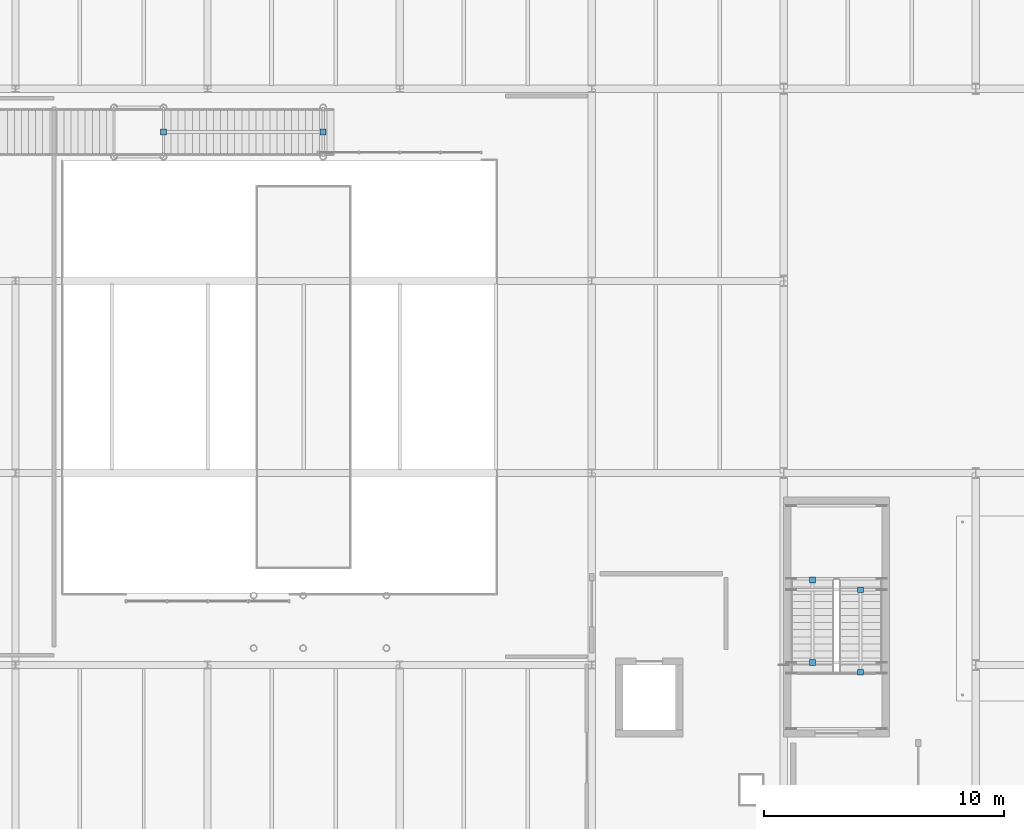
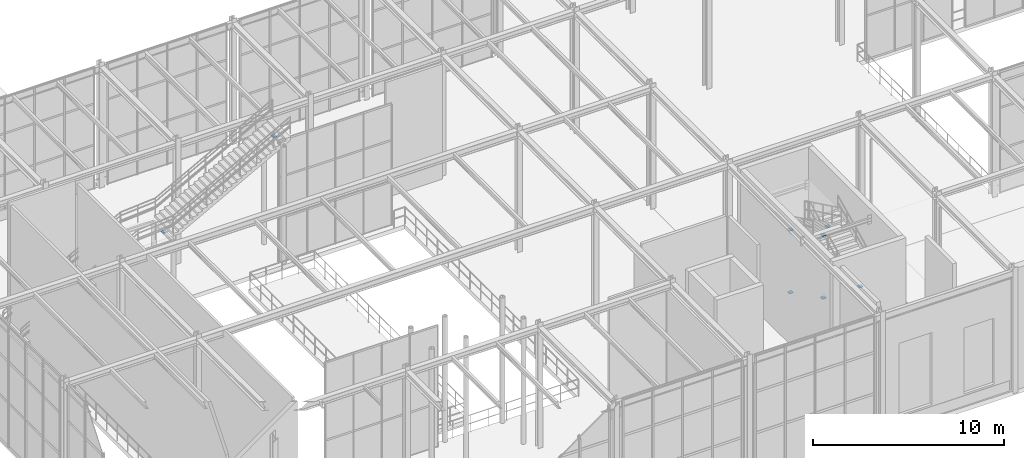
# One storey, part 118 of 138: 8 discrete accessories.
"""IFC4 building model written with IfcOpenShell, lengths in metres."""

from ifc_helpers import new_model, si_unit, direction, frame, origin, origin_2d, place, context, subcontext, project, spatial, rectangle, extrude, material, type_object, element, save


model = new_model("IFC4")

# Units and contexts
model_context = context("Model", 3, precision=1e-05, world=origin(), true_north=direction((0.0, 1.0)))
body_context = subcontext(model_context, "Body", "Model", "MODEL_VIEW")
ifc_project = project(units=[si_unit("LENGTHUNIT", "METRE"), si_unit("AREAUNIT", "SQUARE_METRE"), si_unit("VOLUMEUNIT", "CUBIC_METRE"), si_unit("PLANEANGLEUNIT", "RADIAN"), si_unit("MASSUNIT", "GRAM", prefix="KILO")], contexts=[model_context])

# Site, building, storey
site_placement = place(None, origin())
site = spatial("IfcSite", under=ifc_project, at=site_placement, CompositionType="ELEMENT")
building_placement = place(site_placement, origin())
building = spatial("IfcBuilding", under=site, at=building_placement, Name="Sundkrona Museum", CompositionType="ELEMENT")
storey_placement = place(building_placement, frame((0.0, 0.0, 9.60009765625)))
storey = spatial("IfcBuildingStorey", under=building, at=storey_placement, Name="L02", CompositionType="ELEMENT", Elevation=9.60009765625)

# Discrete accessories
ifc_material = material(Name="Stainless Steel EN 1.4404 Cleat", Category="steel")
discrete_accessory_type = type_object("IfcDiscreteAccessoryType", Name="BRK-FIN-01", PredefinedType="BRACKET", material=ifc_material)
for number, where, z_axis, x_axis, name in (
    (1, (121.199951171875, 11.534912109375, 1.66748046875), (0.0, 0.0, 1.0), (1.0, 0.0, 0.0), "Brace and Strut End Connection Plate RK-ST-ST-2-L02-2-1"),
    (2, (121.199951171875, 8.10009765625, 3.411376953125), (0.0, 0.0, 1.0), (1.0, 0.0, 0.0), "Brace and Strut End Connection Plate RK-ST-ST-2-L02-2-2"),
    (3, (123.199951171875, 7.699951171875, 3.66748046875), (0.0, 0.0, 1.0), (1.0, 0.0, 0.0), "Brace and Strut End Connection Plate RK-ST-ST-2-L02-3-1"),
    (4, (123.199951171875, 11.135009765625, 5.411376953125), (0.0, 0.0, 1.0), (1.0, 0.0, 0.0), "Brace and Strut End Connection Plate RK-ST-ST-2-L02-3-2"),
    (5, (121.199951171875, 11.534912109375, 5.66748046875), (0.0, 0.0, 1.0), (1.0, 0.0, 0.0), "Brace and Strut End Connection Plate RK-ST-ST-2-L02-4-1"),
    (6, (121.199951171875, 8.10009765625, 7.411376953125), (0.0, 0.0, 1.0), (1.0, 0.0, 0.0), "Brace and Strut End Connection Plate RK-ST-ST-2-L02-4-2"),
    (7, (94.159912109375, 30.199951171875, 3.66748046875), (0.0, 0.0, 1.0), (1.0, 0.0, 0.0), "Brace and Strut End Connection Plate RK-FS-3-FL2-1"),
    (8, (100.81005859375, 30.199951171875, 7.447509765625), (0.0, 0.0, 1.0), (1.0, 0.0, 0.0), "Brace and Strut End Connection Plate RK-FS-3-FL2-2"),
):
    element("IfcDiscreteAccessory", number, at=place(storey_placement, frame(where, z_axis=z_axis, x_axis=x_axis)), inside=storey, type_object=discrete_accessory_type, Name=name, PredefinedType="BRACKET", context=body_context, shape_type="SweptSolid", body=[
        extrude(rectangle(XDim=0.239990234375, YDim=0.239990234375, at=origin_2d()), origin(), (0.0, 0.0, 1.0), 0.02490234375),
    ])

save(model, "model.ifc")
